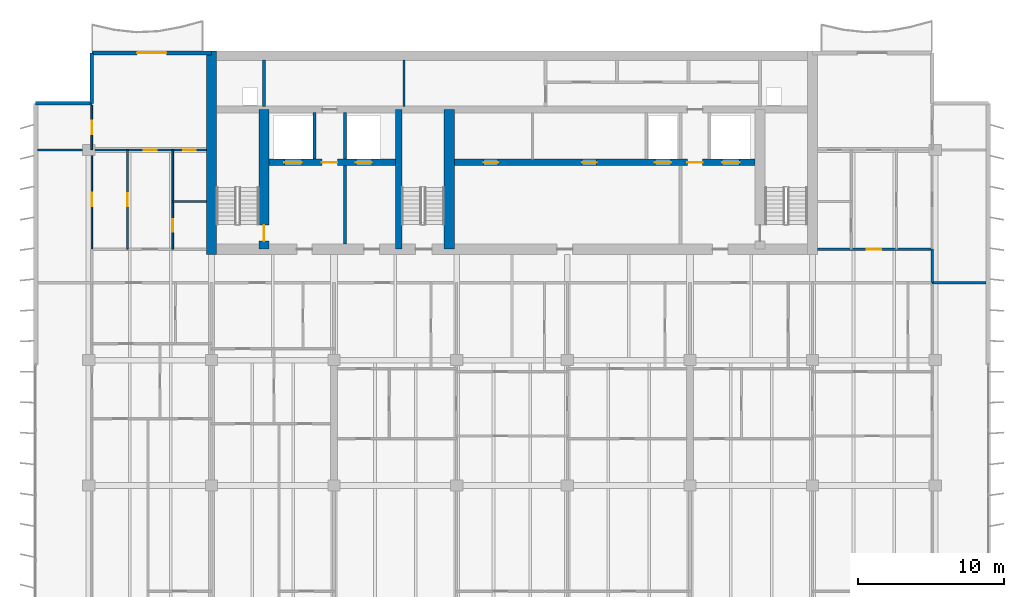
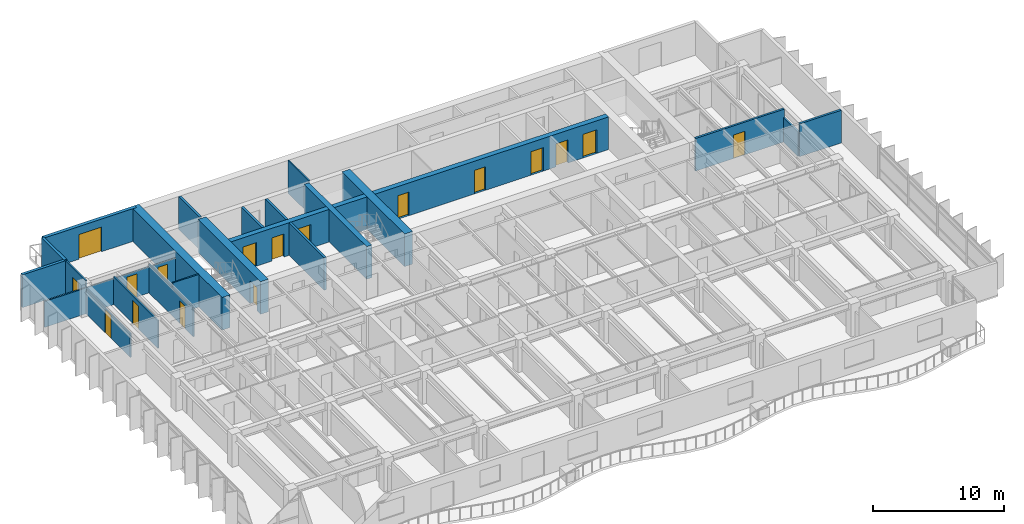
# One storey, part 11 of 17: 22 walls, 17 doors, 17 openings.
"""IFC4 building model written with IfcOpenShell, lengths in metres."""

from ifc_helpers import new_model, si_unit, direction, frame, frame_2d, origin, place, context, subcontext, project, spatial, rectangle, extrude, material, layer, layer_set, type_object, element, fill, save


model = new_model("IFC4")

# Units and contexts
model_context = context("Model", 3, precision=1e-05, world=origin(), true_north=direction((0.0, 1.0)))
body_context = subcontext(model_context, "Body", "Model", "MODEL_VIEW")
ifc_project = project(units=[si_unit("LENGTHUNIT", "METRE"), si_unit("AREAUNIT", "SQUARE_METRE"), si_unit("VOLUMEUNIT", "CUBIC_METRE"), si_unit("PLANEANGLEUNIT", "RADIAN"), si_unit("MASSUNIT", "GRAM", prefix="KILO")], contexts=[model_context])

# Site, building, storey
site_placement = place(None, origin())
site = spatial("IfcSite", under=ifc_project, at=site_placement, CompositionType="ELEMENT")
building_placement = place(site_placement, origin())
building = spatial("IfcBuilding", under=site, at=building_placement, Name="Caelmar Bay Residences", CompositionType="ELEMENT")
storey_placement = place(building_placement, frame((0.0, 0.0, 201.60009765625)))
storey = spatial("IfcBuildingStorey", under=building, at=storey_placement, Name="L56", CompositionType="ELEMENT", Elevation=201.60009765625)

# Wall
ifc_material_1 = material(Name="Concrete f'c 55 MPa (8,000 psi)", Category="concrete")
ifc_layer_1 = layer(ifc_material_1, 0.699951171875)
ifc_layer_set_1 = layer_set([ifc_layer_1], Name="Concrete f'c 55 MPa (8,000 psi)")
wall_type_1 = type_object("IfcWallType", Name="SW-COR-700", PredefinedType="SHEAR", material=ifc_layer_set_1)
wall_1_placement = place(storey_placement, frame((18.300048828125, 36.64990234375, 0.0), z_axis=(0.0, 0.0, 1.0), x_axis=(0.0, 1.0, 0.0)))
element("IfcWall", 1, at=wall_1_placement, inside=storey, type_object=wall_type_1, Name="L56 Rear Core West Shear Wall", PredefinedType="SHEAR", context=body_context, shape_type="SweptSolid", body=[
    extrude(rectangle(XDim=13.9501953125, YDim=0.699951171875, at=frame_2d((6.97509765625, 0.0))), origin(), (0.0, 0.0, 1.0), 3.0498046875),
])

# Wall, opening, door
wall_2_placement = place(storey_placement, frame((21.89990234375, 37.0, 0.0), z_axis=(0.0, 0.0, 1.0), x_axis=(0.0, 1.0, 0.0)))
wall_2 = element("IfcWall", 2, at=wall_2_placement, inside=storey, type_object=wall_type_1, Name="L56 Core Structural Web Wall ST1E", PredefinedType="SHEAR", context=body_context, shape_type="SweptSolid", body=[
    extrude(rectangle(XDim=9.574951171875, YDim=0.699951171875, at=frame_2d((4.78759765625, 0.0))), origin(), (0.0, 0.0, 1.0), 3.0498046875),
])
opening_1_placement = place(wall_2_placement, frame((0.550048828125, 0.0, 0.0)))
opening_1 = element("IfcOpeningElement", 3, at=opening_1_placement, cuts=wall_2, Name="Opening D-L56-107", PredefinedType="OPENING", context=body_context, shape_type="SweptSolid", body=[
    extrude(rectangle(XDim=1.10009765625, YDim=2.14990234375, at=frame_2d((0.550048828125, 1.074951171875))), frame((0.0, 0.35986328125, 0.0), z_axis=(0.0, -1.0, 0.0), x_axis=(1.0, 0.0, 0.0)), (0.0, 0.0, 1.0), 0.719970703125),
])
ifc_material_2 = material(Name="Fire-rated steel and walnut architectural door assembly", Category="steel")
ifc_layer_2 = layer(ifc_material_2, 0.050048828125)
ifc_layer_set_2 = layer_set([ifc_layer_2], Name="Fire-rated steel and walnut architectural door assembly")
door_type_1 = type_object("IfcDoorType", Name="D-STAIR-1100", OperationType="NOTDEFINED", PredefinedType="DOOR", material=ifc_layer_set_2)
door_1_placement = place(opening_1_placement, origin())
door_1 = element("IfcDoor", 4, at=door_1_placement, inside=storey, type_object=door_type_1, Name="L56 Firefighting Lobby West Door", OperationType="SINGLE_SWING_LEFT", OverallHeight=2.14990234375, OverallWidth=1.10009765625, PredefinedType="DOOR", context=body_context, shape_type="SweptSolid", body=[
    extrude(rectangle(XDim=1.10009765625, YDim=2.14990234375, at=frame_2d((0.550048828125, 1.074951171875))), frame((0.0, 0.02490234375, 0.0), z_axis=(0.0, -1.0, 0.0), x_axis=(1.0, 0.0, 0.0)), (0.0, 0.0, 1.0), 0.050048828125),
])
fill(opening_1, door_1)

# Walls
wall_3_placement = place(storey_placement, frame((34.60009765625, 37.0, 0.0), z_axis=(0.0, 0.0, 1.0), x_axis=(0.0, 1.0, 0.0)))
element("IfcWall", 5, at=wall_3_placement, inside=storey, type_object=wall_type_1, Name="L56 Core Structural Web Wall ST3E", PredefinedType="SHEAR", context=body_context, shape_type="SweptSolid", body=[
    extrude(rectangle(XDim=9.574951171875, YDim=0.699951171875, at=frame_2d((4.78759765625, 0.0))), origin(), (0.0, 0.0, 1.0), 3.0498046875),
])
ifc_material_3 = material(Name="Concrete f'c 70 MPa (10,000 psi)", Category="concrete")
ifc_layer_3 = layer(ifc_material_3, 0.449951171875)
ifc_layer_set_3 = layer_set([ifc_layer_3], Name="Concrete f'c 70 MPa (10,000 psi)")
wall_type_2 = type_object("IfcWallType", Name="SW-WEB-450", PredefinedType="SHEAR", material=ifc_layer_set_3)
wall_4_placement = place(storey_placement, frame((31.125, 37.0, 0.0), z_axis=(0.0, 0.0, 1.0), x_axis=(0.0, 1.0, 0.0)))
element("IfcWall", 6, at=wall_4_placement, inside=storey, type_object=wall_type_2, Name="L56 Core Structural Web Wall ST3W", PredefinedType="SHEAR", context=body_context, shape_type="SweptSolid", body=[
    extrude(rectangle(XDim=9.574951171875, YDim=0.449951171875, at=frame_2d((4.78759765625, 0.0))), origin(), (0.0, 0.0, 1.0), 3.0498046875),
])

# Wall, openings, doors
wall_5_placement = place(storey_placement, frame((22.25, 42.949951171875, 0.0), z_axis=(0.0, 0.0, 1.0), x_axis=(1.0, 0.0, 0.0)))
wall_5 = element("IfcWall", 7, at=wall_5_placement, inside=storey, type_object=wall_type_2, Name="L56 Core Structural Web Wall LFR", PredefinedType="SHEAR", context=body_context, shape_type="SweptSolid", body=[
    extrude(rectangle(XDim=33.300048828125, YDim=0.449951171875, at=frame_2d((16.64990234375, 0.0))), origin(), (0.0, 0.0, 1.0), 3.0498046875),
])
opening_2_placement = place(wall_5_placement, frame((1.050048828125, 0.0, 0.0)))
opening_2 = element("IfcOpeningElement", 8, at=opening_2_placement, cuts=wall_5, Name="Opening LD2", PredefinedType="OPENING", context=body_context, shape_type="SweptSolid", body=[
    extrude(rectangle(XDim=1.199951171875, YDim=2.199951171875, at=frame_2d((0.60009765625, 1.10009765625))), frame((0.0, 0.23486328125, 0.0), z_axis=(0.0, -1.0, 0.0), x_axis=(1.0, 0.0, 0.0)), (0.0, 0.0, 1.0), 0.469970703125),
])
opening_3_placement = place(wall_5_placement, frame((31.050048828125, 0.0, 0.0)))
opening_3 = element("IfcOpeningElement", 9, at=opening_3_placement, cuts=wall_5, Name="Opening LD2", PredefinedType="OPENING", context=body_context, shape_type="SweptSolid", body=[
    extrude(rectangle(XDim=1.199951171875, YDim=2.199951171875, at=frame_2d((0.60009765625, 1.10009765625))), frame((0.0, 0.23486328125, 0.0), z_axis=(0.0, -1.0, 0.0), x_axis=(1.0, 0.0, 0.0)), (0.0, 0.0, 1.0), 0.469970703125),
])
opening_4_placement = place(wall_5_placement, frame((26.449951171875, 0.0, 0.0)))
opening_4 = element("IfcOpeningElement", 10, at=opening_4_placement, cuts=wall_5, Name="Opening LD1", PredefinedType="OPENING", context=body_context, shape_type="SweptSolid", body=[
    extrude(rectangle(XDim=1.10009765625, YDim=2.199951171875, at=frame_2d((0.550048828125, 1.10009765625))), frame((0.0, 0.23486328125, 0.0), z_axis=(0.0, -1.0, 0.0), x_axis=(1.0, 0.0, 0.0)), (0.0, 0.0, 1.0), 0.469970703125),
])
opening_5_placement = place(wall_5_placement, frame((5.949951171875, 0.0, 0.0)))
opening_5 = element("IfcOpeningElement", 11, at=opening_5_placement, cuts=wall_5, Name="Opening LD1", PredefinedType="OPENING", context=body_context, shape_type="SweptSolid", body=[
    extrude(rectangle(XDim=1.10009765625, YDim=2.199951171875, at=frame_2d((0.550048828125, 1.10009765625))), frame((0.0, 0.23486328125, 0.0), z_axis=(0.0, -1.0, 0.0), x_axis=(1.0, 0.0, 0.0)), (0.0, 0.0, 1.0), 0.469970703125),
])
opening_6_placement = place(wall_5_placement, frame((3.625, 0.0, 0.0)))
opening_6 = element("IfcOpeningElement", 12, at=opening_6_placement, cuts=wall_5, Name="Opening D-L56-108", PredefinedType="OPENING", context=body_context, shape_type="SweptSolid", body=[
    extrude(rectangle(XDim=1.050048828125, YDim=2.14990234375, at=frame_2d((0.52490234375, 1.074951171875))), frame((0.0, 0.23486328125, 0.0), z_axis=(0.0, -1.0, 0.0), x_axis=(1.0, 0.0, 0.0)), (0.0, 0.0, 1.0), 0.469970703125),
])
opening_7_placement = place(wall_5_placement, frame((28.675048828125, 0.0, 0.0)))
opening_7 = element("IfcOpeningElement", 13, at=opening_7_placement, cuts=wall_5, Name="Opening D-L56-111", PredefinedType="OPENING", context=body_context, shape_type="SweptSolid", body=[
    extrude(rectangle(XDim=1.050048828125, YDim=2.14990234375, at=frame_2d((0.52490234375, 1.074951171875))), frame((0.0, 0.23486328125, 0.0), z_axis=(0.0, -1.0, 0.0), x_axis=(1.0, 0.0, 0.0)), (0.0, 0.0, 1.0), 0.469970703125),
])
opening_8_placement = place(wall_5_placement, frame((14.699951171875, 0.0, 0.0)))
opening_8 = element("IfcOpeningElement", 14, at=opening_8_placement, cuts=wall_5, Name="Opening D-L56-114", PredefinedType="OPENING", context=body_context, shape_type="SweptSolid", body=[
    extrude(rectangle(XDim=1.0, YDim=2.199951171875, at=frame_2d((0.5, 1.10009765625))), frame((0.0, 0.23486328125, 0.0), z_axis=(0.0, -1.0, 0.0), x_axis=(1.0, 0.0, 0.0)), (0.0, 0.0, 1.0), 0.469970703125),
])
opening_9_placement = place(wall_5_placement, frame((21.449951171875, 0.0, 0.0)))
opening_9 = element("IfcOpeningElement", 15, at=opening_9_placement, cuts=wall_5, Name="Opening D-L56-115", PredefinedType="OPENING", context=body_context, shape_type="SweptSolid", body=[
    extrude(rectangle(XDim=1.0, YDim=2.199951171875, at=frame_2d((0.5, 1.10009765625))), frame((0.0, 0.23486328125, 0.0), z_axis=(0.0, -1.0, 0.0), x_axis=(1.0, 0.0, 0.0)), (0.0, 0.0, 1.0), 0.469970703125),
])
ifc_layer_4 = layer(ifc_material_2, 0.050048828125)
ifc_layer_set_4 = layer_set([ifc_layer_4], Name="Fire-rated steel and walnut architectural door assembly")
door_type_2 = type_object("IfcDoorType", Name="D-FSAE-1050", OperationType="NOTDEFINED", PredefinedType="DOOR", material=ifc_layer_set_4)
door_2_placement = place(opening_6_placement, origin())
door_2 = element("IfcDoor", 16, at=door_2_placement, inside=storey, type_object=door_type_2, Name="L56 Firefighting Lobby West Door", OperationType="SINGLE_SWING_RIGHT", OverallHeight=2.14990234375, OverallWidth=1.050048828125, PredefinedType="DOOR", context=body_context, shape_type="SweptSolid", body=[
    extrude(rectangle(XDim=1.050048828125, YDim=2.14990234375, at=frame_2d((0.52490234375, 1.074951171875))), frame((0.0, 0.02490234375, 0.0), z_axis=(0.0, -1.0, 0.0), x_axis=(1.0, 0.0, 0.0)), (0.0, 0.0, 1.0), 0.050048828125),
])
fill(opening_6, door_2)
door_3_placement = place(opening_7_placement, origin())
door_3 = element("IfcDoor", 17, at=door_3_placement, inside=storey, type_object=door_type_2, Name="L56 Firefighting Lobby East Door", OperationType="SINGLE_SWING_LEFT", OverallHeight=2.14990234375, OverallWidth=1.050048828125, PredefinedType="DOOR", context=body_context, shape_type="SweptSolid", body=[
    extrude(rectangle(XDim=1.050048828125, YDim=2.14990234375, at=frame_2d((0.52490234375, 1.074951171875))), frame((0.0, 0.02490234375, 0.0), z_axis=(0.0, -1.0, 0.0), x_axis=(1.0, 0.0, 0.0)), (0.0, 0.0, 1.0), 0.050048828125),
])
fill(opening_7, door_3)
ifc_material_4 = material(Name="Brushed bronze stainless-steel fire-rated lift landing doors", Category="steel")
ifc_layer_5 = layer(ifc_material_4, 0.050048828125)
ifc_layer_set_5 = layer_set([ifc_layer_5], Name="Brushed bronze stainless-steel fire-rated lift landing doors")
door_type_3 = type_object("IfcDoorType", Name="D-LND-1100", OperationType="DOUBLE_DOOR_SLIDING", PredefinedType="DOOR", material=ifc_layer_set_5)
door_4_placement = place(opening_4_placement, origin())
door_4 = element("IfcDoor", 18, at=door_4_placement, inside=storey, type_object=door_type_3, Name="L56 LP6 Sliding Landing Door", OperationType="DOUBLE_DOOR_SLIDING", OverallHeight=2.199951171875, OverallWidth=1.10009765625, PredefinedType="DOOR", context=body_context, shape_type="SweptSolid", body=[
    extrude(rectangle(XDim=1.10009765625, YDim=2.199951171875, at=frame_2d((0.550048828125, 1.10009765625))), frame((0.0, 0.02490234375, 0.0), z_axis=(0.0, -1.0, 0.0), x_axis=(1.0, 0.0, 0.0)), (0.0, 0.0, 1.0), 0.050048828125),
])
fill(opening_4, door_4)
door_5_placement = place(opening_5_placement, origin())
door_5 = element("IfcDoor", 19, at=door_5_placement, inside=storey, type_object=door_type_3, Name="L56 LP7 Sliding Landing Door", OperationType="DOUBLE_DOOR_SLIDING", OverallHeight=2.199951171875, OverallWidth=1.10009765625, PredefinedType="DOOR", context=body_context, shape_type="SweptSolid", body=[
    extrude(rectangle(XDim=1.10009765625, YDim=2.199951171875, at=frame_2d((0.550048828125, 1.10009765625))), frame((0.0, 0.02490234375, 0.0), z_axis=(0.0, -1.0, 0.0), x_axis=(1.0, 0.0, 0.0)), (0.0, 0.0, 1.0), 0.050048828125),
])
fill(opening_5, door_5)
ifc_material_5 = material(Name="Brushed stainless-steel FSAE sliding landing door", Category="steel")
ifc_layer_6 = layer(ifc_material_5, 0.050048828125)
ifc_layer_set_6 = layer_set([ifc_layer_6], Name="Brushed stainless-steel FSAE sliding landing door")
door_type_4 = type_object("IfcDoorType", Name="D-LND-1200", OperationType="DOUBLE_DOOR_SLIDING", PredefinedType="DOOR", material=ifc_layer_set_6)
door_6_placement = place(opening_2_placement, origin())
door_6 = element("IfcDoor", 20, at=door_6_placement, inside=storey, type_object=door_type_4, Name="L56 LF1 Sliding Landing Door", OperationType="DOUBLE_DOOR_SLIDING", OverallHeight=2.199951171875, OverallWidth=1.199951171875, PredefinedType="DOOR", context=body_context, shape_type="SweptSolid", body=[
    extrude(rectangle(XDim=1.199951171875, YDim=2.199951171875, at=frame_2d((0.60009765625, 1.10009765625))), frame((0.0, 0.02490234375, 0.0), z_axis=(0.0, -1.0, 0.0), x_axis=(1.0, 0.0, 0.0)), (0.0, 0.0, 1.0), 0.050048828125),
])
fill(opening_2, door_6)
door_7_placement = place(opening_3_placement, origin())
door_7 = element("IfcDoor", 21, at=door_7_placement, inside=storey, type_object=door_type_4, Name="L56 LF2 Sliding Landing Door", OperationType="DOUBLE_DOOR_SLIDING", OverallHeight=2.199951171875, OverallWidth=1.199951171875, PredefinedType="DOOR", context=body_context, shape_type="SweptSolid", body=[
    extrude(rectangle(XDim=1.199951171875, YDim=2.199951171875, at=frame_2d((0.60009765625, 1.10009765625))), frame((0.0, 0.02490234375, 0.0), z_axis=(0.0, -1.0, 0.0), x_axis=(1.0, 0.0, 0.0)), (0.0, 0.0, 1.0), 0.050048828125),
])
fill(opening_3, door_7)
ifc_layer_7 = layer(ifc_material_2, 0.050048828125)
ifc_layer_set_7 = layer_set([ifc_layer_7], Name="Fire-rated steel and walnut architectural door assembly")
door_type_5 = type_object("IfcDoorType", Name="D-UNIT-1000", OperationType="NOTDEFINED", PredefinedType="DOOR", material=ifc_layer_set_7)
door_8_placement = place(opening_8_placement, origin())
door_8 = element("IfcDoor", 22, at=door_8_placement, inside=storey, type_object=door_type_5, Name="L56 Executive Study Door", OperationType="SINGLE_SWING_RIGHT", OverallHeight=2.199951171875, OverallWidth=1.0, PredefinedType="DOOR", context=body_context, shape_type="SweptSolid", body=[
    extrude(rectangle(XDim=1.0, YDim=2.199951171875, at=frame_2d((0.5, 1.10009765625))), frame((0.0, 0.02490234375, 0.0), z_axis=(0.0, -1.0, 0.0), x_axis=(1.0, 0.0, 0.0)), (0.0, 0.0, 1.0), 0.050048828125),
])
fill(opening_8, door_8)
door_9_placement = place(opening_9_placement, origin())
door_9 = element("IfcDoor", 23, at=door_9_placement, inside=storey, type_object=door_type_5, Name="L56 Residents Reading Lounge Door", OperationType="SINGLE_SWING_LEFT", OverallHeight=2.199951171875, OverallWidth=1.0, PredefinedType="DOOR", context=body_context, shape_type="SweptSolid", body=[
    extrude(rectangle(XDim=1.0, YDim=2.199951171875, at=frame_2d((0.5, 1.10009765625))), frame((0.0, 0.02490234375, 0.0), z_axis=(0.0, -1.0, 0.0), x_axis=(1.0, 0.0, 0.0)), (0.0, 0.0, 1.0), 0.050048828125),
])
fill(opening_9, door_9)

# Wall
ifc_material_6 = material(Name="Double-stud acoustic fire-rated gypsum partition 180 mm")
ifc_layer_8 = layer(ifc_material_6, 0.179931640625)
ifc_layer_set_8 = layer_set([ifc_layer_8], Name="Double-stud acoustic fire-rated gypsum partition 180 mm")
wall_type_3 = type_object("IfcWallType", Name="W-COR-200", PredefinedType="PARTITIONING", material=ifc_layer_set_8)
wall_6_placement = place(storey_placement, frame((67.699951171875, 34.705078125, 0.0), z_axis=(0.0, 0.0, 1.0), x_axis=(0.0, 1.0, 0.0)))
element("IfcWall", 24, at=wall_6_placement, inside=storey, type_object=wall_type_3, Name="L56 Partition Wall V053", PredefinedType="PARTITIONING", context=body_context, shape_type="SweptSolid", body=[
    extrude(rectangle(XDim=2.294921875, YDim=0.179931640625, at=frame_2d((1.1474609375, 0.0))), origin(), (0.0, 0.0, 1.0), 2.262939453125),
])

# Wall, opening, door
wall_7_placement = place(storey_placement, frame((59.85498046875, 37.0, 0.0), z_axis=(0.0, 0.0, 1.0), x_axis=(1.0, 0.0, 0.0)))
wall_7 = element("IfcWall", 25, at=wall_7_placement, inside=storey, type_object=wall_type_3, Name="L56 Partition Wall H082", PredefinedType="PARTITIONING", context=body_context, shape_type="SweptSolid", body=[
    extrude(rectangle(XDim=7.844970703125, YDim=0.179931640625, at=frame_2d((3.92236328125, 0.0))), origin(), (0.0, 0.0, 1.0), 3.0498046875),
])
opening_10_placement = place(wall_7_placement, frame((3.34912109375, 0.0, 0.0)))
opening_10 = element("IfcOpeningElement", 26, at=opening_10_placement, cuts=wall_7, Name="Opening D-L56-171", PredefinedType="OPENING", context=body_context, shape_type="SweptSolid", body=[
    extrude(rectangle(XDim=1.0, YDim=2.199951171875, at=frame_2d((0.5, 1.10009765625))), frame((0.0, 0.099853515625, 0.0), z_axis=(0.0, -1.0, 0.0), x_axis=(1.0, 0.0, 0.0)), (0.0, 0.0, 1.0), 0.199951171875),
])
door_10_placement = place(opening_10_placement, origin())
door_10 = element("IfcDoor", 27, at=door_10_placement, inside=storey, type_object=door_type_5, Name="L56 Residence EA Kitchen Door", OperationType="SINGLE_SWING_LEFT", OverallHeight=2.199951171875, OverallWidth=1.0, PredefinedType="DOOR", context=body_context, shape_type="SweptSolid", body=[
    extrude(rectangle(XDim=1.0, YDim=2.199951171875, at=frame_2d((0.5, 1.10009765625))), frame((0.0, 0.02490234375, 0.0), z_axis=(0.0, -1.0, 0.0), x_axis=(1.0, 0.0, 0.0)), (0.0, 0.0, 1.0), 0.050048828125),
])
fill(opening_10, door_10)

# Walls
ifc_material_7 = material(Name="Precast concrete f'c 40 MPa (6,000 psi)", Category="concrete")
ifc_layer_9 = layer(ifc_material_7, 0.25)
ifc_layer_set_9 = layer_set([ifc_layer_9], Name="Precast concrete f'c 40 MPa (6,000 psi)")
wall_type_4 = type_object("IfcWallType", Name="W-EXT-250", PredefinedType="ELEMENTEDWALL", material=ifc_layer_set_9)
wall_8_placement = place(storey_placement, frame((6.25, 47.0, 0.0), z_axis=(0.0, 0.0, 1.0), x_axis=(1.0, 0.0, 0.0)))
element("IfcWall", 28, at=wall_8_placement, inside=storey, type_object=wall_type_4, Name="L56 NNW-H Notch Wall", PredefinedType="ELEMENTEDWALL", context=body_context, shape_type="SweptSolid", body=[
    extrude(rectangle(XDim=3.85009765625, YDim=0.25, at=frame_2d((1.925048828125, 0.0))), origin(), (0.0, 0.0, 1.0), 3.0498046875),
])
wall_9_placement = place(storey_placement, frame((10.10009765625, 47.0, 0.0), z_axis=(0.0, 0.0, 1.0), x_axis=(0.0, 1.0, 0.0)))
element("IfcWall", 29, at=wall_9_placement, inside=storey, type_object=wall_type_4, Name="L56 NNW-V Notch Wall", PredefinedType="ELEMENTEDWALL", context=body_context, shape_type="SweptSolid", body=[
    extrude(rectangle(XDim=3.449951171875, YDim=0.25, at=frame_2d((1.72509765625, 0.0))), origin(), (0.0, 0.0, 1.0), 3.0498046875),
])

# Wall, opening, door
ifc_layer_10 = layer(ifc_material_7, 0.300048828125)
ifc_layer_set_10 = layer_set([ifc_layer_10], Name="Precast concrete f'c 40 MPa (6,000 psi)")
wall_type_5 = type_object("IfcWallType", Name="W-EXT-300", PredefinedType="STANDARD", material=ifc_layer_set_10)
wall_10_placement = place(storey_placement, frame((10.10009765625, 50.449951171875, 0.0), z_axis=(0.0, 0.0, 1.0), x_axis=(1.0, 0.0, 0.0)))
wall_10 = element("IfcWall", 30, at=wall_10_placement, inside=storey, type_object=wall_type_5, Name="L56 North-West Wing Exterior Wall", PredefinedType="STANDARD", context=body_context, shape_type="SweptSolid", body=[
    extrude(rectangle(XDim=8.199951171875, YDim=0.300048828125, at=frame_2d((4.10009765625, 0.0))), origin(), (0.0, 0.0, 1.0), 3.0498046875),
])
opening_11_placement = place(wall_10_placement, frame((3.10009765625, 0.0, 0.0)))
opening_11 = element("IfcOpeningElement", 31, at=opening_11_placement, cuts=wall_10, Name="Opening L56-BDNW", PredefinedType="OPENING", context=body_context, shape_type="SweptSolid", body=[
    extrude(rectangle(XDim=2.0, YDim=2.300048828125, at=frame_2d((1.0, 1.14990234375))), frame((0.0, 0.159912109375, 0.0), z_axis=(0.0, -1.0, 0.0), x_axis=(1.0, 0.0, 0.0)), (0.0, 0.0, 1.0), 0.320068359375),
])
ifc_material_8 = material(Name="Anodised bronze thermally broken sliding glass door", Category="glass")
ifc_layer_11 = layer(ifc_material_8, 0.050048828125)
ifc_layer_set_11 = layer_set([ifc_layer_11], Name="Anodised bronze thermally broken sliding glass door")
door_type_6 = type_object("IfcDoorType", Name="D-BAL-2000", OperationType="DOUBLE_DOOR_SLIDING", PredefinedType="DOOR", material=ifc_layer_set_11)
door_11_placement = place(opening_11_placement, origin())
door_11 = element("IfcDoor", 32, at=door_11_placement, inside=storey, type_object=door_type_6, Name="L56 North-West Balcony Door", OperationType="DOUBLE_DOOR_SLIDING", OverallHeight=2.300048828125, OverallWidth=2.0, PredefinedType="DOOR", context=body_context, shape_type="SweptSolid", body=[
    extrude(rectangle(XDim=2.0, YDim=2.300048828125, at=frame_2d((1.0, 1.14990234375))), frame((0.0, 0.02490234375, 0.0), z_axis=(0.0, -1.0, 0.0), x_axis=(1.0, 0.0, 0.0)), (0.0, 0.0, 1.0), 0.050048828125),
])
fill(opening_11, door_11)

# Walls
ifc_material_9 = material(Name="Fire-rated masonry and gypsum shaftliner assembly 200 mm", Category="masonry")
ifc_layer_12 = layer(ifc_material_9, 0.199951171875)
ifc_layer_set_12 = layer_set([ifc_layer_12], Name="Fire-rated masonry and gypsum shaftliner assembly 200 mm")
wall_type_6 = type_object("IfcWallType", Name="W-FSAE-200", PredefinedType="PARTITIONING", material=ifc_layer_set_12)
wall_11_placement = place(storey_placement, frame((21.89990234375, 46.794921875, 0.0), z_axis=(0.0, 0.0, 1.0), x_axis=(0.0, 1.0, 0.0)))
element("IfcWall", 33, at=wall_11_placement, inside=storey, type_object=wall_type_6, Name="L56 Partition Wall V013", PredefinedType="PARTITIONING", context=body_context, shape_type="SweptSolid", body=[
    extrude(rectangle(XDim=3.16015625, YDim=0.199951171875, at=frame_2d((1.580078125, 0.0))), origin(), (0.0, 0.0, 1.0), 3.0498046875),
])
wall_12_placement = place(storey_placement, frame((25.35009765625, 43.169921875, 0.0), z_axis=(0.0, 0.0, 1.0), x_axis=(0.0, 1.0, 0.0)))
element("IfcWall", 34, at=wall_12_placement, inside=storey, type_object=wall_type_6, Name="L56 Partition Wall V018", PredefinedType="PARTITIONING", context=body_context, shape_type="SweptSolid", body=[
    extrude(rectangle(XDim=3.18505859375, YDim=0.199951171875, at=frame_2d((1.592529296875, 0.0))), origin(), (0.0, 0.0, 1.0), 3.0498046875),
])
wall_13_placement = place(storey_placement, frame((27.449951171875, 37.344970703125, 0.0), z_axis=(0.0, 0.0, 1.0), x_axis=(0.0, 1.0, 0.0)))
element("IfcWall", 35, at=wall_13_placement, inside=storey, type_object=wall_type_6, Name="L56 Partition Wall V022", PredefinedType="PARTITIONING", context=body_context, shape_type="SweptSolid", body=[
    extrude(rectangle(XDim=5.385009765625, YDim=0.199951171875, at=frame_2d((2.6923828125, 0.0))), origin(), (0.0, 0.0, 1.0), 3.0498046875),
])
wall_14_placement = place(storey_placement, frame((27.449951171875, 43.169921875, 0.0), z_axis=(0.0, 0.0, 1.0), x_axis=(0.0, 1.0, 0.0)))
element("IfcWall", 36, at=wall_14_placement, inside=storey, type_object=wall_type_6, Name="L56 Partition Wall V023", PredefinedType="PARTITIONING", context=body_context, shape_type="SweptSolid", body=[
    extrude(rectangle(XDim=3.18505859375, YDim=0.199951171875, at=frame_2d((1.592529296875, 0.0))), origin(), (0.0, 0.0, 1.0), 3.0498046875),
])

# Wall, opening, door
ifc_material_10 = material(Name="Anodised bronze framed acoustic sliding study partition 100 mm")
ifc_layer_13 = layer(ifc_material_10, 0.10009765625)
ifc_layer_set_13 = layer_set([ifc_layer_13], Name="Anodised bronze framed acoustic sliding study partition 100 mm")
wall_type_7 = type_object("IfcWallType", Name="W-MOV-100", PredefinedType="MOVABLE", material=ifc_layer_set_13)
wall_15_placement = place(storey_placement, frame((10.10009765625, 37.0048828125, 0.0), z_axis=(0.0, 0.0, 1.0), x_axis=(0.0, 1.0, 0.0)))
wall_15 = element("IfcWall", 37, at=wall_15_placement, inside=storey, type_object=wall_type_7, Name="L56 Partition Wall V003", PredefinedType="MOVABLE", context=body_context, shape_type="SweptSolid", body=[
    extrude(rectangle(XDim=6.795166015625, YDim=0.10009765625, at=frame_2d((3.3974609375, 0.0))), origin(), (0.0, 0.0, 1.0), 2.262939453125),
])
opening_12_placement = place(wall_15_placement, frame((2.947509765625, 0.0, 0.0)))
opening_12 = element("IfcOpeningElement", 38, at=opening_12_placement, cuts=wall_15, Name="Opening D-L56-168", PredefinedType="OPENING", context=body_context, shape_type="SweptSolid", body=[
    extrude(rectangle(XDim=0.89990234375, YDim=2.14990234375, at=frame_2d((0.449951171875, 1.074951171875))), frame((0.0, 0.06005859375, 0.0), z_axis=(0.0, -1.0, 0.0), x_axis=(1.0, 0.0, 0.0)), (0.0, 0.0, 1.0), 0.1201171875),
])
ifc_material_11 = material(Name="Solid walnut timber interior door leaf and frame", Category="wood")
ifc_layer_14 = layer(ifc_material_11, 0.050048828125)
ifc_layer_set_14 = layer_set([ifc_layer_14], Name="Solid walnut timber interior door leaf and frame")
door_type_7 = type_object("IfcDoorType", Name="D-ROOM-900", OperationType="NOTDEFINED", PredefinedType="DOOR", material=ifc_layer_set_14)
door_12_placement = place(opening_12_placement, origin())
door_12 = element("IfcDoor", 39, at=door_12_placement, inside=storey, type_object=door_type_7, Name="L56 Residence WA Sun Study Door", OperationType="SINGLE_SWING_RIGHT", OverallHeight=2.14990234375, OverallWidth=0.89990234375, PredefinedType="DOOR", context=body_context, shape_type="SweptSolid", body=[
    extrude(rectangle(XDim=0.89990234375, YDim=2.14990234375, at=frame_2d((0.449951171875, 1.074951171875))), frame((0.0, 0.02490234375, 0.0), z_axis=(0.0, -1.0, 0.0), x_axis=(1.0, 0.0, 0.0)), (0.0, 0.0, 1.0), 0.050048828125),
])
fill(opening_12, door_12)

ifc_material_12 = material(Name="Acoustic metal-stud gypsum partition 120 mm")
ifc_layer_15 = layer(ifc_material_12, 0.1201171875)
ifc_layer_set_15 = layer_set([ifc_layer_15], Name="Acoustic metal-stud gypsum partition 120 mm")
wall_type_8 = type_object("IfcWallType", Name="W-PRT-120", PredefinedType="PARTITIONING", material=ifc_layer_set_15)
wall_16_placement = place(storey_placement, frame((10.10009765625, 43.804931640625, 0.0), z_axis=(0.0, 0.0, 1.0), x_axis=(0.0, 1.0, 0.0)))
wall_16 = element("IfcWall", 40, at=wall_16_placement, inside=storey, type_object=wall_type_8, Name="L56 Partition Wall V004", PredefinedType="PARTITIONING", context=body_context, shape_type="SweptSolid", body=[
    extrude(rectangle(XDim=3.074951171875, YDim=0.1201171875, at=frame_2d((1.53759765625, 0.0))), origin(), (0.0, 0.0, 1.0), 3.0498046875),
])
opening_13_placement = place(wall_16_placement, frame((1.08740234375, 0.0, 0.0)))
opening_13 = element("IfcOpeningElement", 41, at=opening_13_placement, cuts=wall_16, Name="Opening D-L56-169", PredefinedType="OPENING", context=body_context, shape_type="SweptSolid", body=[
    extrude(rectangle(XDim=0.89990234375, YDim=2.14990234375, at=frame_2d((0.449951171875, 1.074951171875))), frame((0.0, 0.070068359375, 0.0), z_axis=(0.0, -1.0, 0.0), x_axis=(1.0, 0.0, 0.0)), (0.0, 0.0, 1.0), 0.14013671875),
])
door_13_placement = place(opening_13_placement, origin())
door_13 = element("IfcDoor", 42, at=door_13_placement, inside=storey, type_object=door_type_7, Name="L56 Residence WA North Sitting Alcove Door", OperationType="SINGLE_SWING_LEFT", OverallHeight=2.14990234375, OverallWidth=0.89990234375, PredefinedType="DOOR", context=body_context, shape_type="SweptSolid", body=[
    extrude(rectangle(XDim=0.89990234375, YDim=2.14990234375, at=frame_2d((0.449951171875, 1.074951171875))), frame((0.0, 0.02490234375, 0.0), z_axis=(0.0, -1.0, 0.0), x_axis=(1.0, 0.0, 0.0)), (0.0, 0.0, 1.0), 0.050048828125),
])
fill(opening_13, door_13)

wall_17_placement = place(storey_placement, frame((12.5419921875, 37.0, 0.0), z_axis=(0.0, 0.0, 1.0), x_axis=(0.0, 1.0, 0.0)))
wall_17 = element("IfcWall", 43, at=wall_17_placement, inside=storey, type_object=wall_type_8, Name="L56 Partition Wall V005", PredefinedType="PARTITIONING", context=body_context, shape_type="SweptSolid", body=[
    extrude(rectangle(XDim=6.800048828125, YDim=0.1201171875, at=frame_2d((3.39990234375, 0.0))), origin(), (0.0, 0.0, 1.0), 2.577880859375),
])
opening_14_placement = place(wall_17_placement, frame((2.949951171875, 0.0, 0.0)))
opening_14 = element("IfcOpeningElement", 44, at=opening_14_placement, cuts=wall_17, Name="Opening D-L56-163", PredefinedType="OPENING", context=body_context, shape_type="SweptSolid", body=[
    extrude(rectangle(XDim=0.89990234375, YDim=2.14990234375, at=frame_2d((0.449951171875, 1.074951171875))), frame((0.0, 0.070068359375, 0.0), z_axis=(0.0, -1.0, 0.0), x_axis=(1.0, 0.0, 0.0)), (0.0, 0.0, 1.0), 0.14013671875),
])
door_14_placement = place(opening_14_placement, origin())
door_14 = element("IfcDoor", 45, at=door_14_placement, inside=storey, type_object=door_type_7, Name="L56 Residence WA Dining Room Door", OperationType="SINGLE_SWING_LEFT", OverallHeight=2.14990234375, OverallWidth=0.89990234375, PredefinedType="DOOR", context=body_context, shape_type="SweptSolid", body=[
    extrude(rectangle(XDim=0.89990234375, YDim=2.14990234375, at=frame_2d((0.449951171875, 1.074951171875))), frame((0.0, 0.02490234375, 0.0), z_axis=(0.0, -1.0, 0.0), x_axis=(1.0, 0.0, 0.0)), (0.0, 0.0, 1.0), 0.050048828125),
])
fill(opening_14, door_14)

wall_18_placement = place(storey_placement, frame((15.64990234375, 37.0, 0.0), z_axis=(0.0, 0.0, 1.0), x_axis=(0.0, 1.0, 0.0)))
wall_18 = element("IfcWall", 46, at=wall_18_placement, inside=storey, type_object=wall_type_8, Name="L56 Partition Wall V009", PredefinedType="PARTITIONING", context=body_context, shape_type="SweptSolid", body=[
    extrude(rectangle(XDim=6.800048828125, YDim=0.1201171875, at=frame_2d((3.39990234375, 0.0))), origin(), (0.0, 0.0, 1.0), 2.678955078125),
])
opening_15_placement = place(wall_18_placement, frame((1.20703125, 0.0, 0.0)))
opening_15 = element("IfcOpeningElement", 47, at=opening_15_placement, cuts=wall_18, Name="Opening D-L56-166", PredefinedType="OPENING", context=body_context, shape_type="SweptSolid", body=[
    extrude(rectangle(XDim=0.85009765625, YDim=2.10009765625, at=frame_2d((0.425048828125, 1.050048828125))), frame((0.0, 0.070068359375, 0.0), z_axis=(0.0, -1.0, 0.0), x_axis=(1.0, 0.0, 0.0)), (0.0, 0.0, 1.0), 0.14013671875),
])
ifc_layer_16 = layer(ifc_material_11, 0.050048828125)
ifc_layer_set_16 = layer_set([ifc_layer_16], Name="Solid walnut timber interior door leaf and frame")
door_type_8 = type_object("IfcDoorType", Name="D-BATH-850", OperationType="NOTDEFINED", PredefinedType="DOOR", material=ifc_layer_set_16)
door_15_placement = place(opening_15_placement, origin())
door_15 = element("IfcDoor", 48, at=door_15_placement, inside=storey, type_object=door_type_8, Name="L56 Residence WA Walk-In Closet Door", OperationType="SINGLE_SWING_RIGHT", OverallHeight=2.10009765625, OverallWidth=0.85009765625, PredefinedType="DOOR", context=body_context, shape_type="SweptSolid", body=[
    extrude(rectangle(XDim=0.85009765625, YDim=2.10009765625, at=frame_2d((0.425048828125, 1.050048828125))), frame((0.0, 0.02490234375, 0.0), z_axis=(0.0, -1.0, 0.0), x_axis=(1.0, 0.0, 0.0)), (0.0, 0.0, 1.0), 0.050048828125),
])
fill(opening_15, door_15)

# Walls
wall_19_placement = place(storey_placement, frame((31.5, 46.794921875, 0.0), z_axis=(0.0, 0.0, 1.0), x_axis=(0.0, 1.0, 0.0)))
element("IfcWall", 49, at=wall_19_placement, inside=storey, type_object=wall_type_8, Name="L56 Partition Wall V025", PredefinedType="PARTITIONING", context=body_context, shape_type="SweptSolid", body=[
    extrude(rectangle(XDim=3.16015625, YDim=0.1201171875, at=frame_2d((1.580078125, 0.0))), origin(), (0.0, 0.0, 1.0), 3.0498046875),
])
wall_20_placement = place(storey_placement, frame((15.64990234375, 40.263916015625, 0.0), z_axis=(0.0, 0.0, 1.0), x_axis=(1.0, 0.0, 0.0)))
element("IfcWall", 50, at=wall_20_placement, inside=storey, type_object=wall_type_8, Name="L56 Partition Wall H083", PredefinedType="PARTITIONING", context=body_context, shape_type="SweptSolid", body=[
    extrude(rectangle(XDim=2.30517578125, YDim=0.1201171875, at=frame_2d((1.152587890625, 0.0))), origin(), (0.0, 0.0, 1.0), 3.0498046875),
])

# Wall, openings, doors
wall_21_placement = place(storey_placement, frame((6.39501953125, 43.800048828125, 0.0), z_axis=(0.0, 0.0, 1.0), x_axis=(1.0, 0.0, 0.0)))
wall_21 = element("IfcWall", 51, at=wall_21_placement, inside=storey, type_object=wall_type_8, Name="L56 Partition Wall H085", PredefinedType="PARTITIONING", context=body_context, shape_type="SweptSolid", body=[
    extrude(rectangle(XDim=11.56005859375, YDim=0.1201171875, at=frame_2d((5.780029296875, 0.0))), origin(), (0.0, 0.0, 1.0), 2.41796875),
])
opening_16_placement = place(wall_21_placement, frame((7.2509765625, 0.0, 0.0)))
opening_16 = element("IfcOpeningElement", 52, at=opening_16_placement, cuts=wall_21, Name="Opening D-L56-165", PredefinedType="OPENING", context=body_context, shape_type="SweptSolid", body=[
    extrude(rectangle(XDim=0.89990234375, YDim=2.14990234375, at=frame_2d((0.449951171875, 1.074951171875))), frame((0.0, 0.070068359375, 0.0), z_axis=(0.0, -1.0, 0.0), x_axis=(1.0, 0.0, 0.0)), (0.0, 0.0, 1.0), 0.14013671875),
])
opening_17_placement = place(wall_21_placement, frame((9.982421875, 0.0, 0.0)))
opening_17 = element("IfcOpeningElement", 53, at=opening_17_placement, cuts=wall_21, Name="Opening D-L56-167", PredefinedType="OPENING", context=body_context, shape_type="SweptSolid", body=[
    extrude(rectangle(XDim=0.85009765625, YDim=2.10009765625, at=frame_2d((0.425048828125, 1.050048828125))), frame((0.0, 0.070068359375, 0.0), z_axis=(0.0, -1.0, 0.0), x_axis=(1.0, 0.0, 0.0)), (0.0, 0.0, 1.0), 0.14013671875),
])
door_16_placement = place(opening_17_placement, origin())
door_16 = element("IfcDoor", 54, at=door_16_placement, inside=storey, type_object=door_type_8, Name="L56 Residence WA Bathroom Door", OperationType="SINGLE_SWING_LEFT", OverallHeight=2.10009765625, OverallWidth=0.85009765625, PredefinedType="DOOR", context=body_context, shape_type="SweptSolid", body=[
    extrude(rectangle(XDim=0.85009765625, YDim=2.10009765625, at=frame_2d((0.425048828125, 1.050048828125))), frame((0.0, 0.02490234375, 0.0), z_axis=(0.0, -1.0, 0.0), x_axis=(1.0, 0.0, 0.0)), (0.0, 0.0, 1.0), 0.050048828125),
])
fill(opening_17, door_16)
door_17_placement = place(opening_16_placement, origin())
door_17 = element("IfcDoor", 55, at=door_17_placement, inside=storey, type_object=door_type_7, Name="L56 Residence WA Studio Living and Sleeping Room Door", OperationType="SINGLE_SWING_LEFT", OverallHeight=2.14990234375, OverallWidth=0.89990234375, PredefinedType="DOOR", context=body_context, shape_type="SweptSolid", body=[
    extrude(rectangle(XDim=0.89990234375, YDim=2.14990234375, at=frame_2d((0.449951171875, 1.074951171875))), frame((0.0, 0.02490234375, 0.0), z_axis=(0.0, -1.0, 0.0), x_axis=(1.0, 0.0, 0.0)), (0.0, 0.0, 1.0), 0.050048828125),
])
fill(opening_16, door_17)

# Wall
ifc_material_13 = material(Name="Acoustic twin-stud fire-rated inter-tenancy partition 200 mm")
ifc_layer_17 = layer(ifc_material_13, 0.199951171875)
ifc_layer_set_17 = layer_set([ifc_layer_17], Name="Acoustic twin-stud fire-rated inter-tenancy partition 200 mm")
wall_type_9 = type_object("IfcWallType", Name="W-PTY-200", PredefinedType="PARTITIONING", material=ifc_layer_set_17)
wall_22_placement = place(storey_placement, frame((67.705078125, 34.699951171875, 0.0), z_axis=(0.0, 0.0, 1.0), x_axis=(1.0, 0.0, 0.0)))
element("IfcWall", 56, at=wall_22_placement, inside=storey, type_object=wall_type_9, Name="L56 Partition Wall H080", PredefinedType="PARTITIONING", context=body_context, shape_type="SweptSolid", body=[
    extrude(rectangle(XDim=3.699951171875, YDim=0.199951171875, at=frame_2d((1.85009765625, 0.0))), origin(), (0.0, 0.0, 1.0), 3.0498046875),
])

save(model, "model.ifc")
